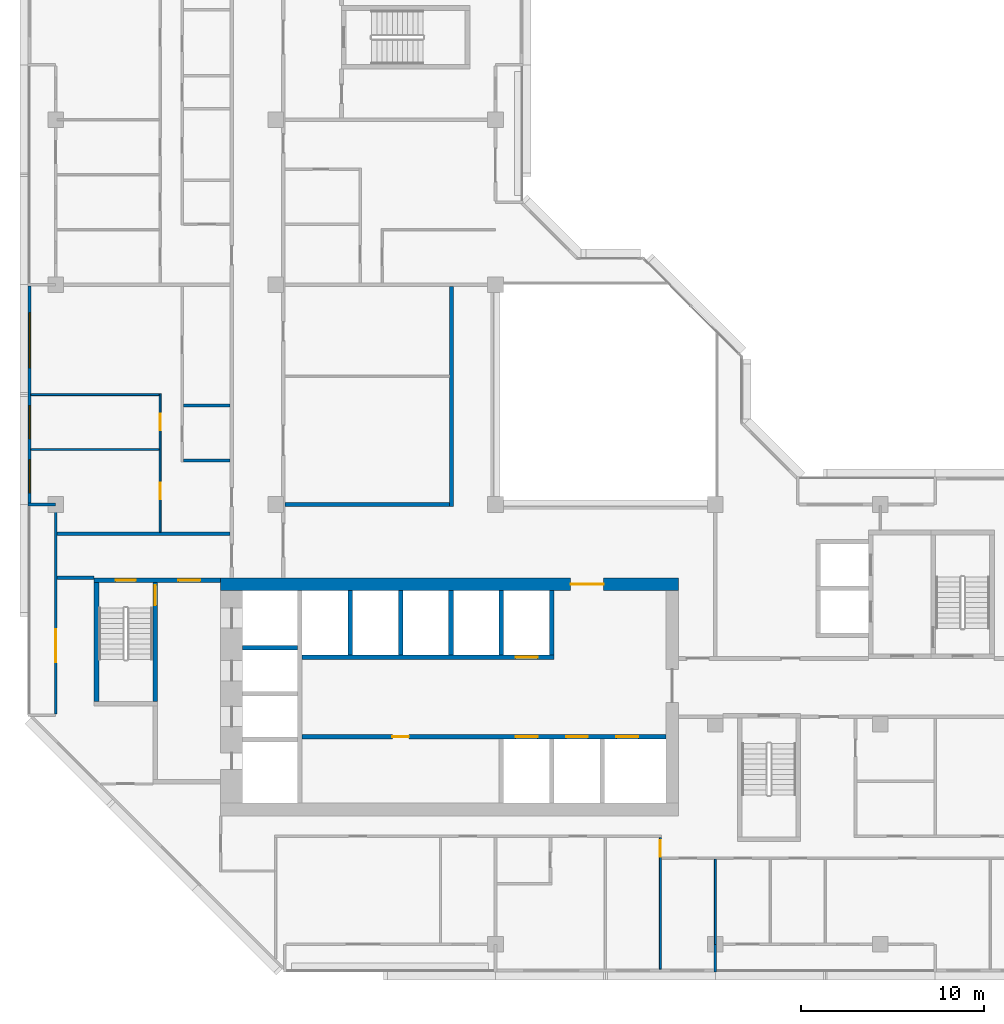
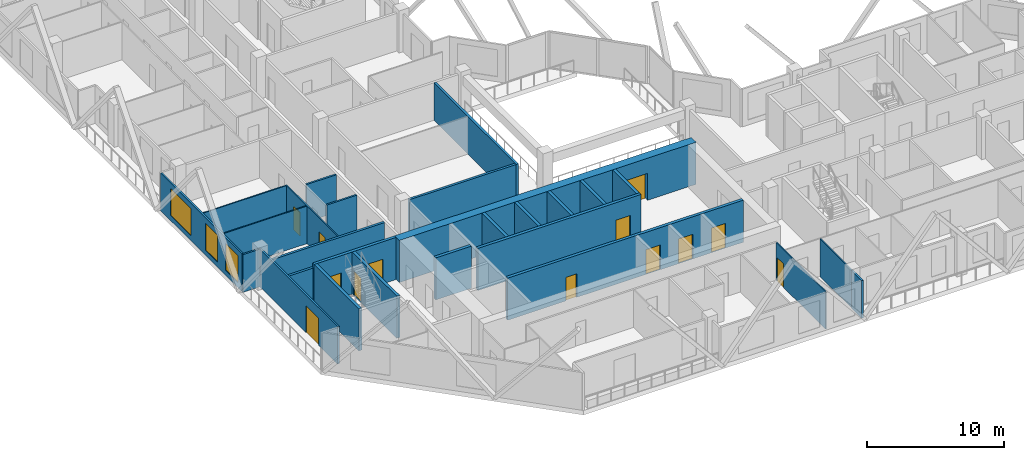
# One storey, part 5 of 14: 27 walls, 13 doors, 3 windows, 16 openings.
"""IFC4 building model written with IfcOpenShell, lengths in metres."""

from ifc_helpers import new_model, si_unit, direction, frame, frame_2d, origin, place, context, subcontext, project, spatial, rectangle, extrude, material, layer, layer_set, type_object, element, fill, save


model = new_model("IFC4")

# Units and contexts
model_context = context("Model", 3, precision=1e-05, world=origin(), true_north=direction((0.0, 1.0)))
body_context = subcontext(model_context, "Body", "Model", "MODEL_VIEW")
ifc_project = project(units=[si_unit("LENGTHUNIT", "METRE"), si_unit("AREAUNIT", "SQUARE_METRE"), si_unit("VOLUMEUNIT", "CUBIC_METRE"), si_unit("PLANEANGLEUNIT", "RADIAN"), si_unit("MASSUNIT", "GRAM", prefix="KILO")], contexts=[model_context])

# Site, building, storey
site_placement = place(None, origin())
site = spatial("IfcSite", under=ifc_project, at=site_placement, CompositionType="ELEMENT")
building_placement = place(site_placement, origin())
building = spatial("IfcBuilding", under=site, at=building_placement, Name="Chenar Terraces", CompositionType="ELEMENT")
storey_placement = place(building_placement, frame((0.0, 0.0, 226.64990234375)))
storey = spatial("IfcBuildingStorey", under=building, at=storey_placement, Name="L53", CompositionType="ELEMENT", Elevation=226.64990234375)

# Wall, openings, doors
ifc_material_1 = material(Name="Concrete C60/75", Category="concrete")
ifc_layer_1 = layer(ifc_material_1, 0.25)
ifc_layer_set_1 = layer_set([ifc_layer_1], Name="Concrete C60/75")
wall_type_1 = type_object("IfcWallType", Name="Core wall 250 Concrete C60/75", PredefinedType="SHEAR", material=ifc_layer_set_1)
wall_1_placement = place(storey_placement, frame((13.449951171875, 11.324951171875, 0.0), z_axis=(0.0, 0.0, 1.0), x_axis=(1.0, 0.0, 0.0)))
wall_1 = element("IfcWall", 1, at=wall_1_placement, inside=storey, type_object=wall_type_1, Name="Core wall SF L53", PredefinedType="SHEAR", context=body_context, shape_type="SweptSolid", body=[
    extrude(rectangle(XDim=19.85009765625, YDim=0.25, at=frame_2d((9.925048828125, 0.0))), origin(), (0.0, 0.0, 1.0), 3.75),
])
opening_1_placement = place(wall_1_placement, frame((11.64990234375, 0.0, 0.0)))
opening_1 = element("IfcOpeningElement", 2, at=opening_1_placement, cuts=wall_1, Name="Opening DL53-LD1", PredefinedType="OPENING", context=body_context, shape_type="SweptSolid", body=[
    extrude(rectangle(XDim=1.199951171875, YDim=2.199951171875, at=frame_2d((0.60009765625, 1.10009765625))), frame((0.0, 0.135009765625, 0.0), z_axis=(0.0, -1.0, 0.0), x_axis=(1.0, 0.0, 0.0)), (0.0, 0.0, 1.0), 0.27001953125),
])
opening_2_placement = place(wall_1_placement, frame((14.39990234375, 0.0, 0.0)))
opening_2 = element("IfcOpeningElement", 3, at=opening_2_placement, cuts=wall_1, Name="Opening DL53-LD2", PredefinedType="OPENING", context=body_context, shape_type="SweptSolid", body=[
    extrude(rectangle(XDim=1.199951171875, YDim=2.199951171875, at=frame_2d((0.60009765625, 1.10009765625))), frame((0.0, 0.135009765625, 0.0), z_axis=(0.0, -1.0, 0.0), x_axis=(1.0, 0.0, 0.0)), (0.0, 0.0, 1.0), 0.27001953125),
])
opening_3_placement = place(wall_1_placement, frame((17.14990234375, 0.0, 0.0)))
opening_3 = element("IfcOpeningElement", 4, at=opening_3_placement, cuts=wall_1, Name="Opening DL53-LD3", PredefinedType="OPENING", context=body_context, shape_type="SweptSolid", body=[
    extrude(rectangle(XDim=1.199951171875, YDim=2.199951171875, at=frame_2d((0.60009765625, 1.10009765625))), frame((0.0, 0.135009765625, 0.0), z_axis=(0.0, -1.0, 0.0), x_axis=(1.0, 0.0, 0.0)), (0.0, 0.0, 1.0), 0.27001953125),
])
opening_4_placement = place(wall_1_placement, frame((4.925048828125, 0.0, 0.0)))
opening_4 = element("IfcOpeningElement", 5, at=opening_4_placement, cuts=wall_1, Name="Opening DL53-C12", PredefinedType="OPENING", context=body_context, shape_type="SweptSolid", body=[
    extrude(rectangle(XDim=0.89990234375, YDim=2.10009765625, at=frame_2d((0.449951171875, 1.050048828125))), frame((0.0, 0.135009765625, 0.0), z_axis=(0.0, -1.0, 0.0), x_axis=(1.0, 0.0, 0.0)), (0.0, 0.0, 1.0), 0.27001953125),
])
ifc_material_2 = material(Name="Stainless steel", Category="steel")
door_type_1 = type_object("IfcDoorType", Name="Lift landing door 1200 x 2200 sliding", OperationType="DOUBLE_DOOR_SLIDING", PredefinedType="DOOR", material=ifc_material_2)
door_1_placement = place(opening_1_placement, origin())
door_1 = element("IfcDoor", 6, at=door_1_placement, inside=storey, type_object=door_type_1, Name="Landing door M1", OperationType="DOUBLE_DOOR_SLIDING", OverallHeight=2.199951171875, OverallWidth=1.199951171875, PredefinedType="DOOR", context=body_context, shape_type="SweptSolid", body=[
    extrude(rectangle(XDim=1.199951171875, YDim=2.199951171875, at=frame_2d((0.60009765625, 1.10009765625))), frame((0.0, 0.02490234375, 0.0), z_axis=(0.0, -1.0, 0.0), x_axis=(1.0, 0.0, 0.0)), (0.0, 0.0, 1.0), 0.050048828125),
])
fill(opening_1, door_1)
door_2_placement = place(opening_2_placement, origin())
door_2 = element("IfcDoor", 7, at=door_2_placement, inside=storey, type_object=door_type_1, Name="Landing door M2", OperationType="DOUBLE_DOOR_SLIDING", OverallHeight=2.199951171875, OverallWidth=1.199951171875, PredefinedType="DOOR", context=body_context, shape_type="SweptSolid", body=[
    extrude(rectangle(XDim=1.199951171875, YDim=2.199951171875, at=frame_2d((0.60009765625, 1.10009765625))), frame((0.0, 0.02490234375, 0.0), z_axis=(0.0, -1.0, 0.0), x_axis=(1.0, 0.0, 0.0)), (0.0, 0.0, 1.0), 0.050048828125),
])
fill(opening_2, door_2)
door_3_placement = place(opening_3_placement, origin())
door_3 = element("IfcDoor", 8, at=door_3_placement, inside=storey, type_object=door_type_1, Name="Landing door M3", OperationType="DOUBLE_DOOR_SLIDING", OverallHeight=2.199951171875, OverallWidth=1.199951171875, PredefinedType="DOOR", context=body_context, shape_type="SweptSolid", body=[
    extrude(rectangle(XDim=1.199951171875, YDim=2.199951171875, at=frame_2d((0.60009765625, 1.10009765625))), frame((0.0, 0.02490234375, 0.0), z_axis=(0.0, -1.0, 0.0), x_axis=(1.0, 0.0, 0.0)), (0.0, 0.0, 1.0), 0.050048828125),
])
fill(opening_3, door_3)
ifc_material_3 = material(Name="Steel-framed fire-resisting door leaf", Category="steel")
door_type_2 = type_object("IfcDoorType", Name="Riser fire door FD60 900 x 2100", OperationType="SINGLE_SWING_LEFT", PredefinedType="DOOR", material=ifc_material_3)
door_4_placement = place(opening_4_placement, frame((0.89990234375, 0.0, 0.0), z_axis=(0.0, 0.0, 1.0), x_axis=(-1.0, 0.0, 0.0)))
door_4 = element("IfcDoor", 9, at=door_4_placement, inside=storey, type_object=door_type_2, Name="Core room door DL53-C12", OperationType="SINGLE_SWING_RIGHT", OverallHeight=2.10009765625, OverallWidth=0.89990234375, PredefinedType="DOOR", context=body_context, shape_type="SweptSolid", body=[
    extrude(rectangle(XDim=0.89990234375, YDim=2.10009765625, at=frame_2d((0.449951171875, 1.050048828125))), frame((0.0, 0.02490234375, 0.0), z_axis=(0.0, -1.0, 0.0), x_axis=(1.0, 0.0, 0.0)), (0.0, 0.0, 1.0), 0.050048828125),
])
fill(opening_4, door_4)

# Wall, opening, door
wall_2_placement = place(storey_placement, frame((13.449951171875, 15.675048828125, 0.0), z_axis=(0.0, 0.0, 1.0), x_axis=(1.0, 0.0, 0.0)))
wall_2 = element("IfcWall", 10, at=wall_2_placement, inside=storey, type_object=wall_type_1, Name="Core wall NF L53", PredefinedType="SHEAR", context=body_context, shape_type="SweptSolid", body=[
    extrude(rectangle(XDim=13.75, YDim=0.25, at=frame_2d((6.875, 0.0))), origin(), (0.0, 0.0, 1.0), 3.75),
])
opening_5_placement = place(wall_2_placement, frame((11.64990234375, 0.0, 0.0)))
opening_5 = element("IfcOpeningElement", 11, at=opening_5_placement, cuts=wall_2, Name="Opening DL53-LD4", PredefinedType="OPENING", context=body_context, shape_type="SweptSolid", body=[
    extrude(rectangle(XDim=1.199951171875, YDim=2.199951171875, at=frame_2d((0.60009765625, 1.10009765625))), frame((0.0, 0.135009765625, 0.0), z_axis=(0.0, -1.0, 0.0), x_axis=(1.0, 0.0, 0.0)), (0.0, 0.0, 1.0), 0.27001953125),
])
door_5_placement = place(opening_5_placement, origin())
door_5 = element("IfcDoor", 12, at=door_5_placement, inside=storey, type_object=door_type_1, Name="Landing door M4", OperationType="DOUBLE_DOOR_SLIDING", OverallHeight=2.199951171875, OverallWidth=1.199951171875, PredefinedType="DOOR", context=body_context, shape_type="SweptSolid", body=[
    extrude(rectangle(XDim=1.199951171875, YDim=2.199951171875, at=frame_2d((0.60009765625, 1.10009765625))), frame((0.0, 0.02490234375, 0.0), z_axis=(0.0, -1.0, 0.0), x_axis=(1.0, 0.0, 0.0)), (0.0, 0.0, 1.0), 0.050048828125),
])
fill(opening_5, door_5)

# Walls
wall_3_placement = place(storey_placement, frame((10.199951171875, 16.175048828125, 0.0), z_axis=(0.0, 0.0, 1.0), x_axis=(1.0, 0.0, 0.0)))
element("IfcWall", 13, at=wall_3_placement, inside=storey, type_object=wall_type_1, Name="Core wall HW2 L53", PredefinedType="SHEAR", context=body_context, shape_type="SweptSolid", body=[
    extrude(rectangle(XDim=3.0, YDim=0.25, at=frame_2d((1.5, 0.0))), origin(), (0.0, 0.0, 1.0), 3.75),
])
for number, where, z_axis, x_axis, name in (
    (14, (16.074951171875, 15.800048828125, 0.0), (0.0, 0.0, 1.0), (0.0, 1.0, 0.0), "Core wall NS0 L53"),
    (15, (18.824951171875, 15.800048828125, 0.0), (0.0, 0.0, 1.0), (0.0, 1.0, 0.0), "Core wall NS1 L53"),
    (16, (21.574951171875, 15.800048828125, 0.0), (0.0, 0.0, 1.0), (0.0, 1.0, 0.0), "Core wall NS2 L53"),
    (17, (24.324951171875, 15.800048828125, 0.0), (0.0, 0.0, 1.0), (0.0, 1.0, 0.0), "Core wall NS3 L53"),
    (18, (27.074951171875, 15.800048828125, 0.0), (0.0, 0.0, 1.0), (0.0, 1.0, 0.0), "Core wall NE L53"),
):
    element("IfcWall", number, at=place(storey_placement, frame(where, z_axis=z_axis, x_axis=x_axis)), inside=storey, type_object=wall_type_1, Name=name, PredefinedType="SHEAR", context=body_context, shape_type="SweptSolid", body=[
        extrude(rectangle(XDim=3.5, YDim=0.25, at=frame_2d((1.75, 0.0))), origin(), (0.0, 0.0, 1.0), 3.75),
    ])

# Wall, openings, doors
wall_4_placement = place(storey_placement, frame((2.10009765625, 19.875, 0.0), z_axis=(0.0, 0.0, 1.0), x_axis=(1.0, 0.0, 0.0)))
wall_4 = element("IfcWall", 19, at=wall_4_placement, inside=storey, type_object=wall_type_1, Name="Core wall A_N L53", PredefinedType="SHEAR", context=body_context, shape_type="SweptSolid", body=[
    extrude(rectangle(XDim=6.89990234375, YDim=0.25, at=frame_2d((3.449951171875, 0.0))), origin(), (0.0, 0.0, 1.0), 3.75),
])
opening_6_placement = place(wall_4_placement, frame((1.175048828125, 0.0, 0.0)))
opening_6 = element("IfcOpeningElement", 20, at=opening_6_placement, cuts=wall_4, Name="Opening DL53-C5", PredefinedType="OPENING", context=body_context, shape_type="SweptSolid", body=[
    extrude(rectangle(XDim=1.10009765625, YDim=2.199951171875, at=frame_2d((0.550048828125, 1.10009765625))), frame((0.0, 0.135009765625, 0.0), z_axis=(0.0, -1.0, 0.0), x_axis=(1.0, 0.0, 0.0)), (0.0, 0.0, 1.0), 0.27001953125),
])
opening_7_placement = place(wall_4_placement, frame((4.60009765625, 0.0, 0.0)))
opening_7 = element("IfcOpeningElement", 21, at=opening_7_placement, cuts=wall_4, Name="Opening DL53-C6", PredefinedType="OPENING", context=body_context, shape_type="SweptSolid", body=[
    extrude(rectangle(XDim=1.199951171875, YDim=2.199951171875, at=frame_2d((0.60009765625, 1.10009765625))), frame((0.0, 0.135009765625, 0.0), z_axis=(0.0, -1.0, 0.0), x_axis=(1.0, 0.0, 0.0)), (0.0, 0.0, 1.0), 0.27001953125),
])
ifc_material_4 = material(Name="Steel-framed fire-resisting door leaf", Category="steel")
door_type_3 = type_object("IfcDoorType", Name="Lobby fire door FD60 1200 x 2200", OperationType="SINGLE_SWING_LEFT", PredefinedType="DOOR", material=ifc_material_4)
door_6_placement = place(opening_7_placement, frame((1.199951171875, 0.0, 0.0), z_axis=(0.0, 0.0, 1.0), x_axis=(-1.0, 0.0, 0.0)))
door_6 = element("IfcDoor", 22, at=door_6_placement, inside=storey, type_object=door_type_3, Name="Core door DL53-C6", OperationType="SINGLE_SWING_LEFT", OverallHeight=2.199951171875, OverallWidth=1.199951171875, PredefinedType="DOOR", context=body_context, shape_type="SweptSolid", body=[
    extrude(rectangle(XDim=1.199951171875, YDim=2.199951171875, at=frame_2d((0.60009765625, 1.10009765625))), frame((0.0, 0.02490234375, 0.0), z_axis=(0.0, -1.0, 0.0), x_axis=(1.0, 0.0, 0.0)), (0.0, 0.0, 1.0), 0.050048828125),
])
fill(opening_7, door_6)
ifc_material_5 = material(Name="Steel-framed fire-resisting door leaf", Category="steel")
door_type_4 = type_object("IfcDoorType", Name="Stair fire door FD60 1100 x 2200", OperationType="SINGLE_SWING_LEFT", PredefinedType="DOOR", material=ifc_material_5)
door_7_placement = place(opening_6_placement, origin())
door_7 = element("IfcDoor", 23, at=door_7_placement, inside=storey, type_object=door_type_4, Name="Stair door DL53-C5", OperationType="SINGLE_SWING_LEFT", OverallHeight=2.199951171875, OverallWidth=1.10009765625, PredefinedType="DOOR", context=body_context, shape_type="SweptSolid", body=[
    extrude(rectangle(XDim=1.10009765625, YDim=2.199951171875, at=frame_2d((0.550048828125, 1.10009765625))), frame((0.0, 0.02490234375, 0.0), z_axis=(0.0, -1.0, 0.0), x_axis=(1.0, 0.0, 0.0)), (0.0, 0.0, 1.0), 0.050048828125),
])
fill(opening_6, door_7)

# Wall
wall_5_placement = place(storey_placement, frame((2.22509765625, 13.25, 0.0), z_axis=(0.0, 0.0, 1.0), x_axis=(0.0, 1.0, 0.0)))
element("IfcWall", 24, at=wall_5_placement, inside=storey, type_object=wall_type_1, Name="Core wall ST1_W L53", PredefinedType="SHEAR", context=body_context, shape_type="SweptSolid", body=[
    extrude(rectangle(XDim=6.5, YDim=0.25, at=frame_2d((3.25, 0.0))), origin(), (0.0, 0.0, 1.0), 3.75),
])

# Wall, opening, door
wall_6_placement = place(storey_placement, frame((5.425048828125, 13.25, 0.0), z_axis=(0.0, 0.0, 1.0), x_axis=(0.0, 1.0, 0.0)))
wall_6 = element("IfcWall", 25, at=wall_6_placement, inside=storey, type_object=wall_type_1, Name="Core wall ST1_E L53", PredefinedType="SHEAR", context=body_context, shape_type="SweptSolid", body=[
    extrude(rectangle(XDim=6.5, YDim=0.25, at=frame_2d((3.25, 0.0))), origin(), (0.0, 0.0, 1.0), 3.75),
])
opening_8_placement = place(wall_6_placement, frame((5.25, 0.0, 0.0)))
opening_8 = element("IfcOpeningElement", 26, at=opening_8_placement, cuts=wall_6, Name="Opening DL53-C3", PredefinedType="OPENING", context=body_context, shape_type="SweptSolid", body=[
    extrude(rectangle(XDim=1.10009765625, YDim=2.199951171875, at=frame_2d((0.550048828125, 1.10009765625))), frame((0.0, 0.135009765625, 0.0), z_axis=(0.0, -1.0, 0.0), x_axis=(1.0, 0.0, 0.0)), (0.0, 0.0, 1.0), 0.27001953125),
])
door_8_placement = place(opening_8_placement, origin())
door_8 = element("IfcDoor", 27, at=door_8_placement, inside=storey, type_object=door_type_4, Name="Stair door DL53-C3", OperationType="SINGLE_SWING_RIGHT", OverallHeight=2.199951171875, OverallWidth=1.10009765625, PredefinedType="DOOR", context=body_context, shape_type="SweptSolid", body=[
    extrude(rectangle(XDim=1.10009765625, YDim=2.199951171875, at=frame_2d((0.550048828125, 1.10009765625))), frame((0.0, 0.02490234375, 0.0), z_axis=(0.0, -1.0, 0.0), x_axis=(1.0, 0.0, 0.0)), (0.0, 0.0, 1.0), 0.050048828125),
])
fill(opening_8, door_8)

ifc_material_6 = material(Name="Concrete C60/75", Category="concrete")
ifc_layer_2 = layer(ifc_material_6, 0.699951171875)
ifc_layer_set_2 = layer_set([ifc_layer_2], Name="Concrete C60/75")
wall_type_2 = type_object("IfcWallType", Name="Core wall 700 Concrete C60/75", PredefinedType="SHEAR", material=ifc_layer_set_2)
wall_7_placement = place(storey_placement, frame((9.0, 19.64990234375, 0.0), z_axis=(0.0, 0.0, 1.0), x_axis=(1.0, 0.0, 0.0)))
wall_7 = element("IfcWall", 28, at=wall_7_placement, inside=storey, type_object=wall_type_2, Name="Core wall N L53", PredefinedType="SHEAR", context=body_context, shape_type="SweptSolid", body=[
    extrude(rectangle(XDim=25.0, YDim=0.699951171875, at=frame_2d((12.5, 0.0))), origin(), (0.0, 0.0, 1.0), 3.75),
])
opening_9_placement = place(wall_7_placement, frame((19.10009765625, 0.0, 0.0)))
opening_9 = element("IfcOpeningElement", 29, at=opening_9_placement, cuts=wall_7, Name="Opening DL53-C2", PredefinedType="OPENING", context=body_context, shape_type="SweptSolid", body=[
    extrude(rectangle(XDim=1.800048828125, YDim=2.39990234375, at=frame_2d((0.89990234375, 1.199951171875))), frame((0.0, 0.35986328125, 0.0), z_axis=(0.0, -1.0, 0.0), x_axis=(1.0, 0.0, 0.0)), (0.0, 0.0, 1.0), 0.719970703125),
])
ifc_material_7 = material(Name="Steel-framed fire-resisting door leaf", Category="steel")
door_type_5 = type_object("IfcDoorType", Name="Core entrance double fire door FD60 1800 x 2400", OperationType="DOUBLE_DOOR_SINGLE_SWING", PredefinedType="DOOR", material=ifc_material_7)
door_9_placement = place(opening_9_placement, frame((1.800048828125, 0.0, 0.0), z_axis=(0.0, 0.0, 1.0), x_axis=(-1.0, 0.0, 0.0)))
door_9 = element("IfcDoor", 30, at=door_9_placement, inside=storey, type_object=door_type_5, Name="Core door DL53-C2", OperationType="DOUBLE_DOOR_SINGLE_SWING", OverallHeight=2.39990234375, OverallWidth=1.800048828125, PredefinedType="DOOR", context=body_context, shape_type="SweptSolid", body=[
    extrude(rectangle(XDim=1.800048828125, YDim=2.39990234375, at=frame_2d((0.89990234375, 1.199951171875))), frame((0.0, 0.02490234375, 0.0), z_axis=(0.0, -1.0, 0.0), x_axis=(1.0, 0.0, 0.0)), (0.0, 0.0, 1.0), 0.050048828125),
])
fill(opening_9, door_9)

# Walls
ifc_material_8 = material(Name="Gypsum board on steel studs with fire boards", Category="steel")
ifc_layer_3 = layer(ifc_material_8, 0.199951171875)
ifc_layer_set_3 = layer_set([ifc_layer_3], Name="Gypsum board on steel studs with fire boards")
wall_type_3 = type_object("IfcWallType", Name="Corridor wall 200", PredefinedType="PARTITIONING", material=ifc_layer_set_3)
wall_8_placement = place(storey_placement, frame((0.073974609375, 20.0, 0.0), z_axis=(0.0, 0.0, 1.0), x_axis=(1.0, 0.0, 0.0)))
element("IfcWall", 31, at=wall_8_placement, inside=storey, type_object=wall_type_3, Name="Partition L53-007", PredefinedType="PARTITIONING", context=body_context, shape_type="SweptSolid", body=[
    extrude(rectangle(XDim=2.026123046875, YDim=0.199951171875, at=frame_2d((1.01318359375, 0.0))), origin(), (0.0, 0.0, 1.0), 3.35009765625),
])
wall_9_placement = place(storey_placement, frame((0.073974609375, 22.39990234375, 0.0), z_axis=(0.0, 0.0, 1.0), x_axis=(1.0, 0.0, 0.0)))
element("IfcWall", 32, at=wall_9_placement, inside=storey, type_object=wall_type_3, Name="Partition L53-008", PredefinedType="PARTITIONING", context=body_context, shape_type="SweptSolid", body=[
    extrude(rectangle(XDim=9.426025390625, YDim=0.199951171875, at=frame_2d((4.712890625, 0.0))), origin(), (0.0, 0.0, 1.0), 3.35009765625),
])
wall_10_placement = place(storey_placement, frame((12.52490234375, 24.0, 0.0), z_axis=(0.0, 0.0, 1.0), x_axis=(1.0, 0.0, 0.0)))
element("IfcWall", 33, at=wall_10_placement, inside=storey, type_object=wall_type_3, Name="Partition L53-033", PredefinedType="PARTITIONING", context=body_context, shape_type="SweptSolid", body=[
    extrude(rectangle(XDim=8.97509765625, YDim=0.199951171875, at=frame_2d((4.487548828125, 0.0))), origin(), (0.0, 0.0, 1.0), 3.35009765625),
])
wall_11_placement = place(storey_placement, frame((21.60009765625, 23.89990234375, 0.0), z_axis=(0.0, 0.0, 1.0), x_axis=(0.0, 1.0, 0.0)))
element("IfcWall", 34, at=wall_11_placement, inside=storey, type_object=wall_type_3, Name="Partition L53-051", PredefinedType="PARTITIONING", context=body_context, shape_type="SweptSolid", body=[
    extrude(rectangle(XDim=12.0, YDim=0.199951171875, at=frame_2d((6.0, 0.0))), origin(), (0.0, 0.0, 1.0), 3.35009765625),
])

# Wall, openings, windows
ifc_material_9 = material(Name="Aluminium framed glazing", Category="aluminium")
ifc_layer_4 = layer(ifc_material_9, 0.14990234375)
ifc_layer_set_4 = layer_set([ifc_layer_4], Name="Aluminium framed glazing")
wall_type_4 = type_object("IfcWallType", Name="Glazed flush facade wall 150", PredefinedType="SOLIDWALL", material=ifc_layer_set_4)
wall_12_placement = place(storey_placement, frame((-1.425048828125, 35.925048828125, 0.0), z_axis=(0.0, 0.0, 1.0), x_axis=(0.0, -1.0, 0.0)))
wall_12 = element("IfcWall", 35, at=wall_12_placement, inside=storey, type_object=wall_type_4, Name="Glazed flush facade wall", PredefinedType="SOLIDWALL", context=body_context, shape_type="SweptSolid", body=[
    extrude(rectangle(XDim=11.85009765625, YDim=0.14990234375, at=frame_2d((5.925048828125, 0.0))), origin(), (0.0, 0.0, 1.0), 3.35009765625),
])
opening_10_placement = place(wall_12_placement, frame((1.46240234375, 0.0, 0.449951171875)))
opening_10 = element("IfcOpeningElement", 36, at=opening_10_placement, cuts=wall_12, Name="Opening W300x240", PredefinedType="OPENING", context=body_context, shape_type="SweptSolid", body=[
    extrude(rectangle(XDim=3.0, YDim=2.39990234375, at=frame_2d((1.5, 1.199951171875))), frame((0.0, 0.0849609375, 0.0), z_axis=(0.0, -1.0, 0.0), x_axis=(1.0, 0.0, 0.0)), (0.0, 0.0, 1.0), 0.169921875),
])
opening_11_placement = place(wall_12_placement, frame((6.52490234375, 0.0, 0.449951171875)))
opening_11 = element("IfcOpeningElement", 37, at=opening_11_placement, cuts=wall_12, Name="Opening W180x240", PredefinedType="OPENING", context=body_context, shape_type="SweptSolid", body=[
    extrude(rectangle(XDim=1.800048828125, YDim=2.39990234375, at=frame_2d((0.89990234375, 1.199951171875))), frame((0.0, 0.0849609375, 0.0), z_axis=(0.0, -1.0, 0.0), x_axis=(1.0, 0.0, 0.0)), (0.0, 0.0, 1.0), 0.169921875),
])
opening_12_placement = place(wall_12_placement, frame((9.487548828125, 0.0, 0.449951171875)))
opening_12 = element("IfcOpeningElement", 38, at=opening_12_placement, cuts=wall_12, Name="Opening W180x240", PredefinedType="OPENING", context=body_context, shape_type="SweptSolid", body=[
    extrude(rectangle(XDim=1.800048828125, YDim=2.39990234375, at=frame_2d((0.89990234375, 1.199951171875))), frame((0.0, 0.0849609375, 0.0), z_axis=(0.0, -1.0, 0.0), x_axis=(1.0, 0.0, 0.0)), (0.0, 0.0, 1.0), 0.169921875),
])
ifc_material_10 = material(Name="Low emissivity double glazing, aluminium frame", Category="aluminium")
window_type_1 = type_object("IfcWindowType", Name="Fixed light 1800 x 2400", PartitioningType="SINGLE_PANEL", PredefinedType="WINDOW", material=ifc_material_10)
window_1_placement = place(opening_11_placement, origin())
window_1 = element("IfcWindow", 39, at=window_1_placement, inside=storey, type_object=window_type_1, Name="Window", OverallHeight=2.39990234375, OverallWidth=1.800048828125, PartitioningType="SINGLE_PANEL", PredefinedType="WINDOW", context=body_context, shape_type="SweptSolid", body=[
    extrude(rectangle(XDim=1.800048828125, YDim=2.39990234375, at=frame_2d((0.89990234375, 1.199951171875))), frame((0.0, 0.030029296875, 0.0), z_axis=(0.0, -1.0, 0.0), x_axis=(1.0, 0.0, 0.0)), (0.0, 0.0, 1.0), 0.06005859375),
])
fill(opening_11, window_1)
window_2_placement = place(opening_12_placement, origin())
window_2 = element("IfcWindow", 40, at=window_2_placement, inside=storey, type_object=window_type_1, Name="Window", OverallHeight=2.39990234375, OverallWidth=1.800048828125, PartitioningType="SINGLE_PANEL", PredefinedType="WINDOW", context=body_context, shape_type="SweptSolid", body=[
    extrude(rectangle(XDim=1.800048828125, YDim=2.39990234375, at=frame_2d((0.89990234375, 1.199951171875))), frame((0.0, 0.030029296875, 0.0), z_axis=(0.0, -1.0, 0.0), x_axis=(1.0, 0.0, 0.0)), (0.0, 0.0, 1.0), 0.06005859375),
])
fill(opening_12, window_2)
ifc_material_11 = material(Name="Low emissivity double glazing, aluminium frame", Category="aluminium")
window_type_2 = type_object("IfcWindowType", Name="Fixed light 3000 x 2400", PartitioningType="SINGLE_PANEL", PredefinedType="WINDOW", material=ifc_material_11)
window_3_placement = place(opening_10_placement, origin())
window_3 = element("IfcWindow", 41, at=window_3_placement, inside=storey, type_object=window_type_2, Name="Window", OverallHeight=2.39990234375, OverallWidth=3.0, PartitioningType="SINGLE_PANEL", PredefinedType="WINDOW", context=body_context, shape_type="SweptSolid", body=[
    extrude(rectangle(XDim=3.0, YDim=2.39990234375, at=frame_2d((1.5, 1.199951171875))), frame((0.0, 0.030029296875, 0.0), z_axis=(0.0, -1.0, 0.0), x_axis=(1.0, 0.0, 0.0)), (0.0, 0.0, 1.0), 0.06005859375),
])
fill(opening_10, window_3)

# Wall, opening, door
ifc_material_12 = material(Name="Aluminium framed glazing", Category="aluminium")
ifc_layer_5 = layer(ifc_material_12, 0.14990234375)
ifc_layer_set_5 = layer_set([ifc_layer_5], Name="Aluminium framed glazing")
wall_type_5 = type_object("IfcWallType", Name="Glazed loggia back wall 150", PredefinedType="SOLIDWALL", material=ifc_layer_set_5)
wall_13_placement = place(storey_placement, frame((0.0, 23.925048828125, 0.0), z_axis=(0.0, 0.0, 1.0), x_axis=(0.0, -1.0, 0.0)))
wall_13 = element("IfcWall", 42, at=wall_13_placement, inside=storey, type_object=wall_type_5, Name="Glazed loggia back wall", PredefinedType="SOLIDWALL", context=body_context, shape_type="SweptSolid", body=[
    extrude(rectangle(XDim=11.35009765625, YDim=0.14990234375, at=frame_2d((5.675048828125, 0.0))), origin(), (0.0, 0.0, 1.0), 3.35009765625),
])
opening_13_placement = place(wall_13_placement, frame((6.737548828125, 0.0, 0.0)))
opening_13 = element("IfcOpeningElement", 43, at=opening_13_placement, cuts=wall_13, Name="Opening DL53-G4", PredefinedType="OPENING", context=body_context, shape_type="SweptSolid", body=[
    extrude(rectangle(XDim=1.800048828125, YDim=2.39990234375, at=frame_2d((0.89990234375, 1.199951171875))), frame((0.0, 0.0849609375, 0.0), z_axis=(0.0, -1.0, 0.0), x_axis=(1.0, 0.0, 0.0)), (0.0, 0.0, 1.0), 0.169921875),
])
ifc_material_13 = material(Name="Low emissivity double glazing, aluminium frame", Category="aluminium")
door_type_6 = type_object("IfcDoorType", Name="Loggia glazed double door 1800 x 2400", OperationType="DOUBLE_DOOR_SINGLE_SWING", PredefinedType="DOOR", material=ifc_material_13)
door_10_placement = place(opening_13_placement, frame((1.800048828125, 0.0, 0.0), z_axis=(0.0, 0.0, 1.0), x_axis=(-1.0, 0.0, 0.0)))
door_10 = element("IfcDoor", 44, at=door_10_placement, inside=storey, type_object=door_type_6, Name="Loggia glazed door", OperationType="DOUBLE_DOOR_SINGLE_SWING", OverallHeight=2.39990234375, OverallWidth=1.800048828125, PredefinedType="DOOR", context=body_context, shape_type="SweptSolid", body=[
    extrude(rectangle(XDim=1.800048828125, YDim=2.39990234375, at=frame_2d((0.89990234375, 1.199951171875))), frame((0.0, 0.02490234375, 0.0), z_axis=(0.0, -1.0, 0.0), x_axis=(1.0, 0.0, 0.0)), (0.0, 0.0, 1.0), 0.050048828125),
])
fill(opening_13, door_10)

# Walls
ifc_material_14 = material(Name="Gypsum board on steel studs", Category="steel")
ifc_layer_6 = layer(ifc_material_14, 0.10009765625)
ifc_layer_set_6 = layer_set([ifc_layer_6], Name="Gypsum board on steel studs")
wall_type_6 = type_object("IfcWallType", Name="Gypsum partition 100", PredefinedType="PARTITIONING", material=ifc_layer_set_6)
wall_14_placement = place(storey_placement, frame((-1.35107421875, 27.0, 0.0), z_axis=(0.0, 0.0, 1.0), x_axis=(1.0, 0.0, 0.0)))
element("IfcWall", 45, at=wall_14_placement, inside=storey, type_object=wall_type_6, Name="Partition L53-001", PredefinedType="PARTITIONING", context=body_context, shape_type="SweptSolid", body=[
    extrude(rectangle(XDim=7.0009765625, YDim=0.10009765625, at=frame_2d((3.50048828125, 0.0))), origin(), (0.0, 0.0, 1.0), 3.35009765625),
])
wall_15_placement = place(storey_placement, frame((-1.35009765625, 30.0, 0.0), z_axis=(0.0, 0.0, 1.0), x_axis=(1.0, 0.0, 0.0)))
element("IfcWall", 46, at=wall_15_placement, inside=storey, type_object=wall_type_6, Name="Partition L53-004", PredefinedType="PARTITIONING", context=body_context, shape_type="SweptSolid", body=[
    extrude(rectangle(XDim=7.0, YDim=0.10009765625, at=frame_2d((3.5, 0.0))), origin(), (0.0, 0.0, 1.0), 3.35009765625),
])

# Wall, openings, doors
wall_16_placement = place(storey_placement, frame((5.699951171875, 22.5, 0.0), z_axis=(0.0, 0.0, 1.0), x_axis=(0.0, 1.0, 0.0)))
wall_16 = element("IfcWall", 47, at=wall_16_placement, inside=storey, type_object=wall_type_6, Name="Partition L53-013", PredefinedType="PARTITIONING", context=body_context, shape_type="SweptSolid", body=[
    extrude(rectangle(XDim=7.550048828125, YDim=0.10009765625, at=frame_2d((3.77490234375, 0.0))), origin(), (0.0, 0.0, 1.0), 3.35009765625),
])
opening_14_placement = place(wall_16_placement, frame((1.800048828125, 0.0, 0.0)))
opening_14 = element("IfcOpeningElement", 48, at=opening_14_placement, cuts=wall_16, Name="Opening DL53-61", PredefinedType="OPENING", context=body_context, shape_type="SweptSolid", body=[
    extrude(rectangle(XDim=0.89990234375, YDim=2.10009765625, at=frame_2d((0.449951171875, 1.050048828125))), frame((0.0, 0.06005859375, 0.0), z_axis=(0.0, -1.0, 0.0), x_axis=(1.0, 0.0, 0.0)), (0.0, 0.0, 1.0), 0.1201171875),
])
opening_15_placement = place(wall_16_placement, frame((5.550048828125, 0.0, 0.0)))
opening_15 = element("IfcOpeningElement", 49, at=opening_15_placement, cuts=wall_16, Name="Opening DL53-62", PredefinedType="OPENING", context=body_context, shape_type="SweptSolid", body=[
    extrude(rectangle(XDim=0.89990234375, YDim=2.10009765625, at=frame_2d((0.449951171875, 1.050048828125))), frame((0.0, 0.06005859375, 0.0), z_axis=(0.0, -1.0, 0.0), x_axis=(1.0, 0.0, 0.0)), (0.0, 0.0, 1.0), 0.1201171875),
])
ifc_material_15 = material(Name="Veneered timber door leaf", Category="wood")
door_type_7 = type_object("IfcDoorType", Name="Door 900 x 2100", OperationType="SINGLE_SWING_LEFT", PredefinedType="DOOR", material=ifc_material_15)
door_11_placement = place(opening_14_placement, origin())
door_11 = element("IfcDoor", 50, at=door_11_placement, inside=storey, type_object=door_type_7, Name="Door DL53-61", OperationType="SINGLE_SWING_RIGHT", OverallHeight=2.10009765625, OverallWidth=0.89990234375, PredefinedType="DOOR", context=body_context, shape_type="SweptSolid", body=[
    extrude(rectangle(XDim=0.89990234375, YDim=2.10009765625, at=frame_2d((0.449951171875, 1.050048828125))), frame((0.0, 0.02490234375, 0.0), z_axis=(0.0, -1.0, 0.0), x_axis=(1.0, 0.0, 0.0)), (0.0, 0.0, 1.0), 0.050048828125),
])
fill(opening_14, door_11)
door_12_placement = place(opening_15_placement, origin())
door_12 = element("IfcDoor", 51, at=door_12_placement, inside=storey, type_object=door_type_7, Name="Door DL53-62", OperationType="SINGLE_SWING_RIGHT", OverallHeight=2.10009765625, OverallWidth=0.89990234375, PredefinedType="DOOR", context=body_context, shape_type="SweptSolid", body=[
    extrude(rectangle(XDim=0.89990234375, YDim=2.10009765625, at=frame_2d((0.449951171875, 1.050048828125))), frame((0.0, 0.02490234375, 0.0), z_axis=(0.0, -1.0, 0.0), x_axis=(1.0, 0.0, 0.0)), (0.0, 0.0, 1.0), 0.050048828125),
])
fill(opening_15, door_12)

# Wall, opening, door
wall_17_placement = place(storey_placement, frame((33.0, -1.35107421875, 0.0), z_axis=(0.0, 0.0, 1.0), x_axis=(0.0, 1.0, 0.0)))
wall_17 = element("IfcWall", 52, at=wall_17_placement, inside=storey, type_object=wall_type_6, Name="Partition L53-056", PredefinedType="PARTITIONING", context=body_context, shape_type="SweptSolid", body=[
    extrude(rectangle(XDim=7.176025390625, YDim=0.10009765625, at=frame_2d((3.587890625, 0.0))), origin(), (0.0, 0.0, 1.0), 3.35009765625),
])
opening_16_placement = place(wall_17_placement, frame((6.1259765625, 0.0, 0.0)))
opening_16 = element("IfcOpeningElement", 53, at=opening_16_placement, cuts=wall_17, Name="Opening DL53-46", PredefinedType="OPENING", context=body_context, shape_type="SweptSolid", body=[
    extrude(rectangle(XDim=0.89990234375, YDim=2.10009765625, at=frame_2d((0.449951171875, 1.050048828125))), frame((0.0, 0.06005859375, 0.0), z_axis=(0.0, -1.0, 0.0), x_axis=(1.0, 0.0, 0.0)), (0.0, 0.0, 1.0), 0.1201171875),
])
door_13_placement = place(opening_16_placement, origin())
door_13 = element("IfcDoor", 54, at=door_13_placement, inside=storey, type_object=door_type_7, Name="Door DL53-46", OperationType="SINGLE_SWING_RIGHT", OverallHeight=2.10009765625, OverallWidth=0.89990234375, PredefinedType="DOOR", context=body_context, shape_type="SweptSolid", body=[
    extrude(rectangle(XDim=0.89990234375, YDim=2.10009765625, at=frame_2d((0.449951171875, 1.050048828125))), frame((0.0, 0.02490234375, 0.0), z_axis=(0.0, -1.0, 0.0), x_axis=(1.0, 0.0, 0.0)), (0.0, 0.0, 1.0), 0.050048828125),
])
fill(opening_16, door_13)

# Walls
wall_18_placement = place(storey_placement, frame((36.0, 0.0, 0.0), z_axis=(0.0, 0.0, 1.0), x_axis=(0.0, 1.0, 0.0)))
element("IfcWall", 55, at=wall_18_placement, inside=storey, type_object=wall_type_6, Name="Partition L53-060", PredefinedType="PARTITIONING", context=body_context, shape_type="SweptSolid", body=[
    extrude(rectangle(XDim=4.64990234375, YDim=0.10009765625, at=frame_2d((2.324951171875, 0.0))), origin(), (0.0, 0.0, 1.0), 3.35009765625),
])
ifc_material_16 = material(Name="Terracotta cladding on insulated backing", Category="masonry")
ifc_layer_7 = layer(ifc_material_16, 0.14990234375)
ifc_layer_set_7 = layer_set([ifc_layer_7], Name="Terracotta cladding on insulated backing")
wall_type_7 = type_object("IfcWallType", Name="Loggia return wall 150", PredefinedType="SOLIDWALL", material=ifc_layer_set_7)
for number, where, z_axis, x_axis, name in (
    (56, (-1.5, 24.0, 0.0), (0.0, 0.0, 1.0), (1.0, 0.0, 0.0), "Loggia return wall"),
    (57, (36.0, -1.5, 0.0), (0.0, 0.0, 1.0), (0.0, 1.0, 0.0), "Loggia return wall"),
):
    element("IfcWall", number, at=place(storey_placement, frame(where, z_axis=z_axis, x_axis=x_axis)), inside=storey, type_object=wall_type_7, Name=name, PredefinedType="SOLIDWALL", context=body_context, shape_type="SweptSolid", body=[
        extrude(rectangle(XDim=1.5, YDim=0.14990234375, at=frame_2d((0.75, 0.0))), origin(), (0.0, 0.0, 1.0), 3.35009765625),
    ])
ifc_material_17 = material(Name="Moisture-resistant gypsum board on steel studs", Category="steel")
ifc_layer_8 = layer(ifc_material_17, 0.14990234375)
ifc_layer_set_8 = layer_set([ifc_layer_8], Name="Moisture-resistant gypsum board on steel studs")
wall_type_8 = type_object("IfcWallType", Name="Wet-room partition 150", PredefinedType="PARTITIONING", material=ifc_layer_set_8)
for number, where, z_axis, x_axis, name in (
    (58, (6.97509765625, 26.39990234375, 0.0), (0.0, 0.0, 1.0), (1.0, 0.0, 0.0), "Partition L53-017"),
    (59, (6.97509765625, 29.39990234375, 0.0), (0.0, 0.0, 1.0), (1.0, 0.0, 0.0), "Partition L53-018"),
):
    element("IfcWall", number, at=place(storey_placement, frame(where, z_axis=z_axis, x_axis=x_axis)), inside=storey, type_object=wall_type_8, Name=name, PredefinedType="PARTITIONING", context=body_context, shape_type="SweptSolid", body=[
        extrude(rectangle(XDim=2.52490234375, YDim=0.14990234375, at=frame_2d((1.262451171875, 0.0))), origin(), (0.0, 0.0, 1.0), 3.35009765625),
    ])

save(model, "model.ifc")
